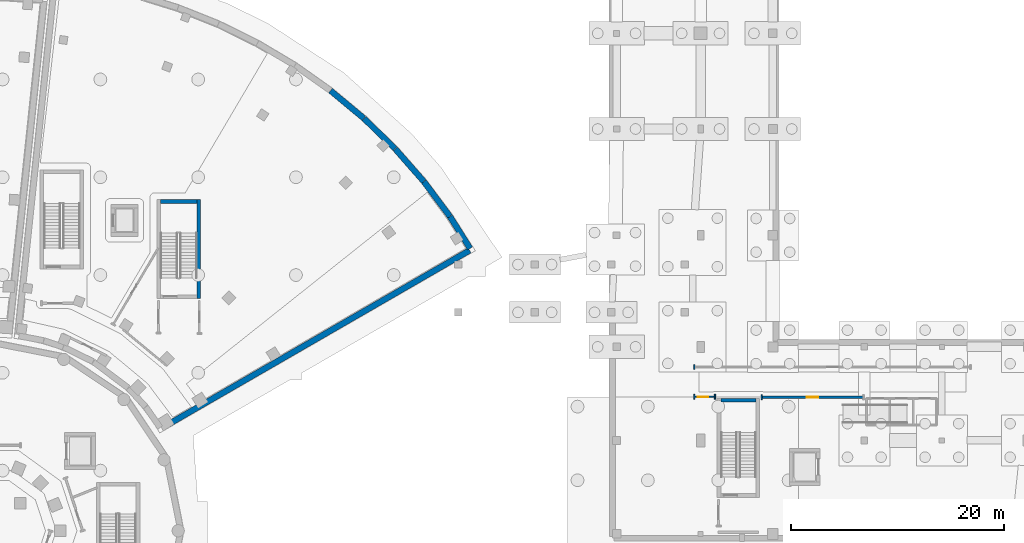
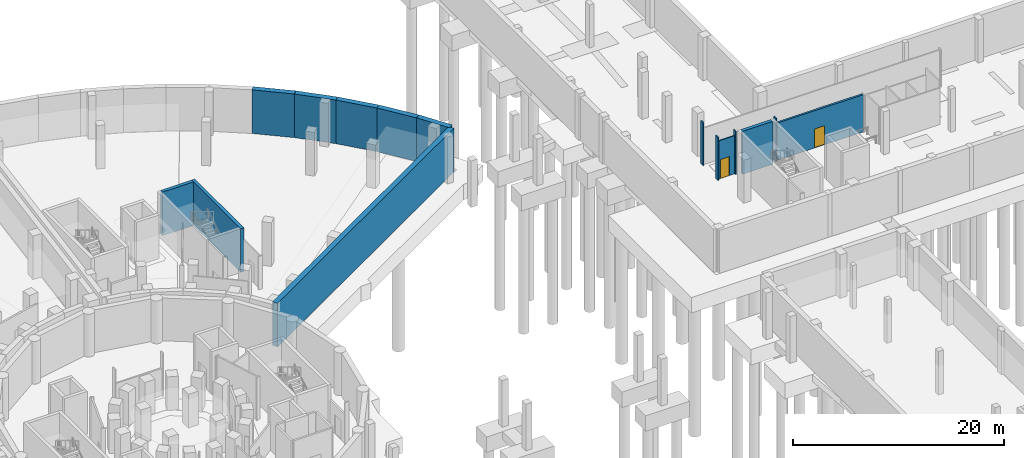
# One storey, part 15 of 33: 15 walls, 2 doors, 2 openings.
"""IFC4 building model written with IfcOpenShell, lengths in metres."""

from ifc_helpers import new_model, si_unit, direction, frame, frame_2d, origin, place, context, subcontext, project, spatial, rectangle, extrude, material, layer, layer_set, type_object, element, fill, save


model = new_model("IFC4")

# Units and contexts
model_context = context("Model", 3, precision=1e-05, world=origin(), true_north=direction((0.0, 1.0)))
body_context = subcontext(model_context, "Body", "Model", "MODEL_VIEW")
ifc_project = project(units=[si_unit("LENGTHUNIT", "METRE"), si_unit("AREAUNIT", "SQUARE_METRE"), si_unit("VOLUMEUNIT", "CUBIC_METRE"), si_unit("PLANEANGLEUNIT", "RADIAN"), si_unit("MASSUNIT", "GRAM", prefix="KILO")], contexts=[model_context])

# Site, building, storey
site_placement = place(None, origin())
site = spatial("IfcSite", under=ifc_project, at=site_placement, CompositionType="ELEMENT")
building_placement = place(site_placement, origin())
building = spatial("IfcBuilding", under=site, at=building_placement, Name="Soyqirgoq Riverine Aquarium", CompositionType="ELEMENT")
storey_placement = place(building_placement, frame((0.0, 0.0, -5.39990234375)))
storey = spatial("IfcBuildingStorey", under=building, at=storey_placement, Name="B01", CompositionType="ELEMENT", Elevation=-5.39990234375)

# Walls
ifc_material_1 = material(Name="Concrete C40/50", Category="concrete")
ifc_layer_1 = layer(ifc_material_1, 0.35009765625)
ifc_layer_set_1 = layer_set([ifc_layer_1], Name="Concrete C40/50")
wall_type_1 = type_object("IfcWallType", Name="CoreShearWall_350_C40", PredefinedType="SHEAR", material=ifc_layer_set_1)
wall_1_placement = place(storey_placement, frame((75.375, 78.85009765625, 0.0), z_axis=(0.0, 0.0, 1.0), x_axis=(0.0, 1.0, 0.0)))
element("IfcWall", 1, at=wall_1_placement, inside=storey, type_object=wall_type_1, Name="CORE-5B B01 Stair Core Shear Wall SIDE1", PredefinedType="SHEAR", context=body_context, shape_type="SweptSolid", body=[
    extrude(rectangle(XDim=9.2998046875, YDim=0.35009765625, at=frame_2d((4.64990234375, 0.0))), origin(), (0.0, 0.0, 1.0), 5.0498046875),
])
wall_2_placement = place(storey_placement, frame((75.199951171875, 87.97509765625, 0.0), z_axis=(0.0, 0.0, 1.0), x_axis=(-1.0, 0.0, 0.0)))
element("IfcWall", 2, at=wall_2_placement, inside=storey, type_object=wall_type_1, Name="CORE-5B B01 Stair Core Shear Wall BACK", PredefinedType="SHEAR", context=body_context, shape_type="SweptSolid", body=[
    extrude(rectangle(XDim=3.39990234375, YDim=0.35009765625, at=frame_2d((1.699951171875, 0.0))), origin(), (0.0, 0.0, 1.0), 5.0498046875),
])
wall_3_placement = place(storey_placement, frame((127.800048828125, 69.27490234375, 0.0), z_axis=(0.0, 0.0, 1.0), x_axis=(-1.0, 0.0, 0.0)))
element("IfcWall", 3, at=wall_3_placement, inside=storey, type_object=wall_type_1, Name="CORE-7 B01 Stair Core Shear Wall BACK", PredefinedType="SHEAR", context=body_context, shape_type="SweptSolid", body=[
    extrude(rectangle(XDim=3.300048828125, YDim=0.35009765625, at=frame_2d((1.64990234375, 0.0))), origin(), (0.0, 0.0, 1.0), 4.97998046875),
])

# Wall, opening, door
ifc_material_2 = material(Name="Lightweight steel-stud gypsum partition", Category="steel")
ifc_layer_2 = layer(ifc_material_2, 0.1201171875)
ifc_layer_set_2 = layer_set([ifc_layer_2], Name="Lightweight steel-stud gypsum partition")
wall_type_2 = type_object("IfcWallType", Name="PartitionWall_120_Std", PredefinedType="PARTITIONING", material=ifc_layer_set_2)
wall_4_placement = place(storey_placement, frame((122.0, 69.60009765625, 0.0), z_axis=(0.0, 0.0, 1.0), x_axis=(1.0, 0.0, 0.0)))
wall_4 = element("IfcWall", 4, at=wall_4_placement, inside=storey, type_object=wall_type_2, Name="Life Support Basement Corridor Partition Wall", PredefinedType="PARTITIONING", context=body_context, shape_type="SweptSolid", body=[
    extrude(rectangle(XDim=1.949951171875, YDim=0.1201171875, at=frame_2d((0.97509765625, 0.0))), origin(), (0.0, 0.0, 1.0), 4.419921875),
])
opening_1_placement = place(wall_4_placement, frame((0.35009765625, 0.0, 0.0)))
opening_1 = element("IfcOpeningElement", 5, at=opening_1_placement, cuts=wall_4, Name="Opening ID-06", PredefinedType="OPENING", context=body_context, shape_type="SweptSolid", body=[
    extrude(rectangle(XDim=0.949951171875, YDim=2.199951171875, at=frame_2d((0.47509765625, 1.10009765625))), frame((0.0, 0.070068359375, 0.0), z_axis=(0.0, -1.0, 0.0), x_axis=(1.0, 0.0, 0.0)), (0.0, 0.0, 1.0), 0.14013671875),
])
ifc_material_3 = material(Name="Moisture-resistant HPL washroom door", Category="wood")
door_type_1 = type_object("IfcDoorType", Name="WCDoor_950x2200", OperationType="NOTDEFINED", PredefinedType="DOOR", material=ifc_material_3)
door_1_placement = place(opening_1_placement, origin())
door_1 = element("IfcDoor", 6, at=door_1_placement, inside=storey, type_object=door_type_1, Name="IDR-V7-B01-0209 Life Support Basement Corridor Door", OperationType="SINGLE_SWING_LEFT", OverallHeight=2.199951171875, OverallWidth=0.949951171875, PredefinedType="DOOR", context=body_context, shape_type="SweptSolid", body=[
    extrude(rectangle(XDim=0.949951171875, YDim=2.199951171875, at=frame_2d((0.47509765625, 1.10009765625))), frame((0.0, 0.02490234375, 0.0), z_axis=(0.0, -1.0, 0.0), x_axis=(1.0, 0.0, 0.0)), (0.0, 0.0, 1.0), 0.050048828125),
])
fill(opening_1, door_1)

# Walls
for number, where, z_axis, x_axis, name in (
    (7, (122.0, 72.6201171875, 0.0), (0.0, 0.0, 1.0), (0.0, -1.0, 0.0), "V7 B01 Jamb Return Pier"),
    (8, (122.0, 69.3798828125, 0.0), (0.0, 0.0, 1.0), (0.0, 1.0, 0.0), "V7 B01 Jamb Return Pier"),
    (9, (123.949951171875, 69.3798828125, 0.0), (0.0, 0.0, 1.0), (0.0, 1.0, 0.0), "V7 B01 Jamb Return Pier"),
):
    element("IfcWall", number, at=place(storey_placement, frame(where, z_axis=z_axis, x_axis=x_axis)), inside=storey, type_object=wall_type_2, Name=name, PredefinedType="PARTITIONING", context=body_context, shape_type="SweptSolid", body=[
        extrude(rectangle(XDim=0.440185546875, YDim=0.1201171875, at=frame_2d((0.22021484375, 0.0))), origin(), (0.0, 0.0, 1.0), 4.97998046875),
    ])
wall_5_placement = place(storey_placement, frame((128.35009765625, 69.780029296875, 0.0), z_axis=(0.0, 0.0, 1.0), x_axis=(0.0, -1.0, 0.0)))
element("IfcWall", 10, at=wall_5_placement, inside=storey, type_object=wall_type_2, Name="V7 B01 Jamb Return Pier", PredefinedType="PARTITIONING", context=body_context, shape_type="SweptSolid", body=[
    extrude(rectangle(XDim=0.43994140625, YDim=0.1201171875, at=frame_2d((0.219970703125, 0.0))), origin(), (0.0, 0.0, 1.0), 4.97998046875),
])
ifc_material_4 = material(Name="Concrete C35/45", Category="concrete")
ifc_layer_3 = layer(ifc_material_4, 0.550048828125)
ifc_layer_set_3 = layer_set([ifc_layer_3], Name="Concrete C35/45")
wall_type_3 = type_object("IfcWallType", Name="RetainingWall_550_C35", PredefinedType="USERDEFINED", material=ifc_layer_set_3)
for number, where, z_axis, x_axis, name in (
    (11, (87.785400390625, 98.406005859375, 0.0), (0.0, 0.0, 1.0), (0.768839337975, -0.639442000797, 0.0), "V5 B01 Perimeter Retaining Wall 093"),
    (12, (90.936279296875, 95.784423828125, 0.0), (0.0, 0.0, 1.0), (0.716297887557, -0.697794623282, 0.0), "V5 B01 Perimeter Retaining Wall 094"),
    (13, (93.87158203125, 92.923828125, 0.0), (0.0, 0.0, 1.0), (0.659335103252, -0.751849201383, 0.0), "V5 B01 Perimeter Retaining Wall 095"),
    (14, (96.5732421875, 89.841796875, 0.0), (0.0, 0.0, 1.0), (0.598322039256, -0.801255725309, 0.0), "V5 B01 Perimeter Retaining Wall 096"),
):
    element("IfcWall", number, at=place(storey_placement, frame(where, z_axis=z_axis, x_axis=x_axis)), inside=storey, type_object=wall_type_3, Name=name, ObjectType="RETAININGWALL", PredefinedType="USERDEFINED", context=body_context, shape_type="SweptSolid", body=[
        extrude(rectangle(XDim=4.0771484375, YDim=0.550048828125, at=frame_2d((2.03857421875, 0.0))), origin(), (0.0, 0.0, 1.0), 5.0498046875),
    ])
wall_6_placement = place(storey_placement, frame((99.02490234375, 86.55712890625, 0.0), z_axis=(0.0, 0.0, 1.0), x_axis=(0.533645257237, -0.845708424593, 0.0)))
element("IfcWall", 15, at=wall_6_placement, inside=storey, type_object=wall_type_3, Name="V5 B01 Perimeter Retaining Wall 097", ObjectType="RETAININGWALL", PredefinedType="USERDEFINED", context=body_context, shape_type="SweptSolid", body=[
    extrude(rectangle(XDim=3.5400390625, YDim=0.550048828125, at=frame_2d((1.77001953125, 0.0))), origin(), (0.0, 0.0, 1.0), 5.0498046875),
])
wall_7_placement = place(storey_placement, frame((100.868408203125, 83.378173828125, 0.0), z_axis=(0.0, 0.0, 1.0), x_axis=(-0.86602741842, -0.499996510533, 0.0)))
element("IfcWall", 16, at=wall_7_placement, inside=storey, type_object=wall_type_3, Name="V5 B01 Perimeter Retaining Wall 098", ObjectType="RETAININGWALL", PredefinedType="USERDEFINED", context=body_context, shape_type="SweptSolid", body=[
    extrude(rectangle(XDim=33.415771484375, YDim=0.550048828125, at=frame_2d((16.7080078125, 0.0))), origin(), (0.0, 0.0, 1.0), 5.0498046875),
])

# Wall, opening, door
ifc_material_5 = material(Name="Fire-rated masonry shaft wall", Category="masonry")
ifc_layer_4 = layer(ifc_material_5, 0.219970703125)
ifc_layer_set_4 = layer_set([ifc_layer_4], Name="Fire-rated masonry shaft wall")
wall_type_4 = type_object("IfcWallType", Name="RiserShaftWall_220_EI120", PredefinedType="SOLIDWALL", material=ifc_layer_set_4)
wall_8_placement = place(storey_placement, frame((137.919921875, 69.56005859375, 0.0), z_axis=(0.0, 0.0, 1.0), x_axis=(-1.0, 0.0, 0.0)))
wall_8 = element("IfcWall", 17, at=wall_8_placement, inside=storey, type_object=wall_type_4, Name="Rapid Sand Filtration Basement Plant Partition Wall", PredefinedType="SOLIDWALL", context=body_context, shape_type="SweptSolid", body=[
    extrude(rectangle(XDim=9.56982421875, YDim=0.219970703125, at=frame_2d((4.784912109375, 0.0))), origin(), (0.0, 0.0, 1.0), 4.31982421875),
])
opening_2_placement = place(wall_8_placement, frame((4.235107421875, 0.0, 0.0)))
opening_2 = element("IfcOpeningElement", 18, at=opening_2_placement, cuts=wall_8, Name="Opening ID-04", PredefinedType="OPENING", context=body_context, shape_type="SweptSolid", body=[
    extrude(rectangle(XDim=1.10009765625, YDim=2.199951171875, at=frame_2d((0.550048828125, 1.10009765625))), frame((0.0, 0.1201171875, 0.0), z_axis=(0.0, -1.0, 0.0), x_axis=(1.0, 0.0, 0.0)), (0.0, 0.0, 1.0), 0.239990234375),
])
ifc_material_6 = material(Name="Chemical-resistant HPL fire-rated laboratory door", Category="wood")
door_type_2 = type_object("IfcDoorType", Name="LabDoor_1100x2200_EI60", OperationType="NOTDEFINED", PredefinedType="DOOR", material=ifc_material_6)
door_2_placement = place(opening_2_placement, origin())
door_2 = element("IfcDoor", 19, at=door_2_placement, inside=storey, type_object=door_type_2, Name="IDR-V7-B01-0210 Life Support Basement Corridor Door", OperationType="SINGLE_SWING_RIGHT", OverallHeight=2.199951171875, OverallWidth=1.10009765625, PredefinedType="DOOR", context=body_context, shape_type="SweptSolid", body=[
    extrude(rectangle(XDim=1.10009765625, YDim=2.199951171875, at=frame_2d((0.550048828125, 1.10009765625))), frame((0.0, 0.02490234375, 0.0), z_axis=(0.0, -1.0, 0.0), x_axis=(1.0, 0.0, 0.0)), (0.0, 0.0, 1.0), 0.050048828125),
])
fill(opening_2, door_2)

save(model, "model.ifc")
